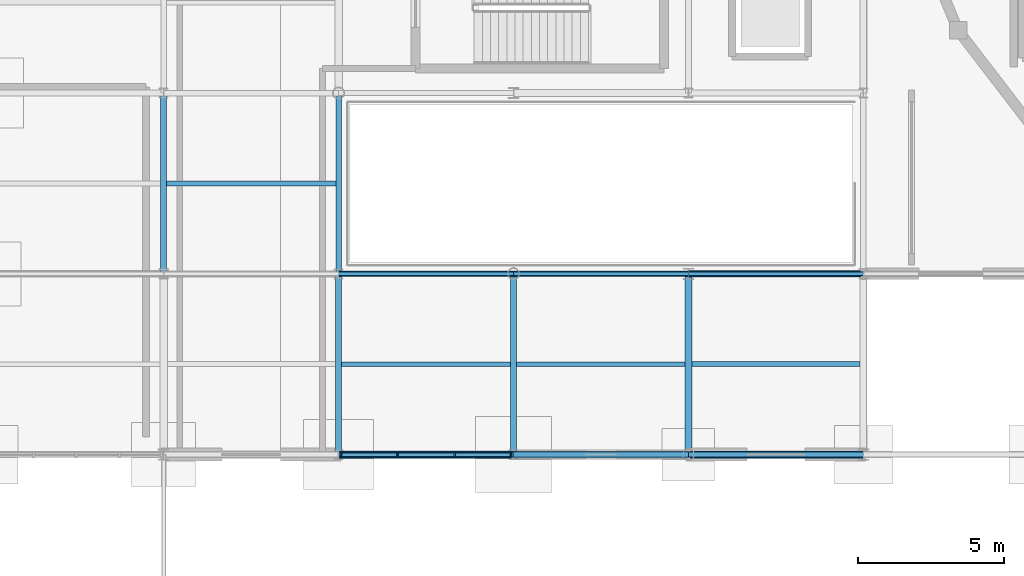
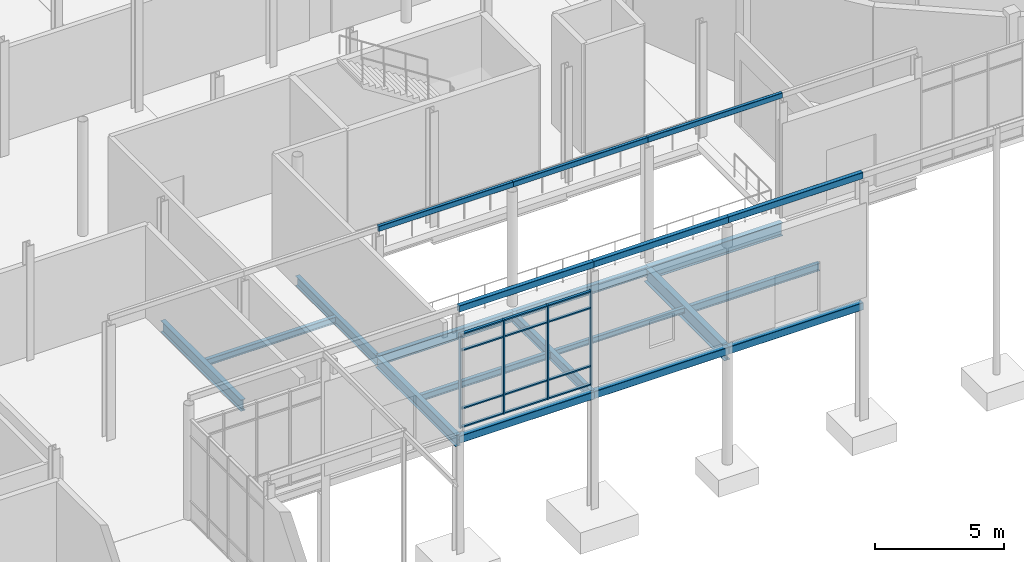
# One storey, part 33 of 98: 21 beams, 16 members, 1 element without a shape of its own.
"""IFC4 building model written with IfcOpenShell, lengths in metres."""

from ifc_helpers import new_model, si_unit, direction, frame, origin, origin_2d, place, context, subcontext, project, spatial, rectangle, hollow_rectangle, i_section, extrude, material, layer, layer_set, material_profile, profile_set, type_object, element, aggregate, save


model = new_model("IFC4")

# Units and contexts
model_context = context("Model", 3, precision=1e-05, world=origin(), true_north=direction((0.0, 1.0)))
body_context = subcontext(model_context, "Body", "Model", "MODEL_VIEW")
ifc_project = project(units=[si_unit("LENGTHUNIT", "METRE"), si_unit("AREAUNIT", "SQUARE_METRE"), si_unit("VOLUMEUNIT", "CUBIC_METRE"), si_unit("PLANEANGLEUNIT", "RADIAN"), si_unit("MASSUNIT", "GRAM", prefix="KILO")], contexts=[model_context])

# Site, building, storey
site_placement = place(None, origin())
site = spatial("IfcSite", under=ifc_project, at=site_placement, CompositionType="ELEMENT")
building_placement = place(site_placement, origin())
building = spatial("IfcBuilding", under=site, at=building_placement, Name="Mirzam Square Science Centre", CompositionType="ELEMENT")
storey_placement = place(building_placement, origin())
storey = spatial("IfcBuildingStorey", under=building, at=storey_placement, Name="L00", CompositionType="ELEMENT", Elevation=0.0)

# Beams
ifc_material_1 = material(Name="Steel S355", Category="steel")
ifc_material_profile_1 = material_profile(ifc_material_1, i_section(OverallWidth=0.1787109375, OverallDepth=0.409423828125, WebThickness=0.0087890625, FlangeThickness=0.014404296875, FilletRadius=0.01025390625, at=origin_2d()), Name="406x178x67UB")
ifc_profile_set_1 = profile_set([ifc_material_profile_1], Name="Steel S355")
beam_type_1 = type_object("IfcBeamType", Name="BM-UB406", PredefinedType="BEAM", material=ifc_profile_set_1)
beam_1_placement = place(storey_placement, frame((48.0, 43.39990234375, -0.504638671875), z_axis=(1.0, 0.0, 0.0), x_axis=(0.0, 1.0, 0.0)))
element("IfcBeam", 1, at=beam_1_placement, inside=storey, type_object=beam_type_1, Name="L00 girder X9-8", PredefinedType="BEAM", context=body_context, shape_type="SweptSolid", body=[
    extrude(i_section(OverallWidth=0.1787109375, OverallDepth=0.409423828125, WebThickness=0.0087890625, FlangeThickness=0.014404296875, FilletRadius=0.01025390625, at=origin_2d()), origin(), (0.0, 0.0, 1.0), 6.0),
])
ifc_material_profile_2 = material_profile(ifc_material_1, i_section(OverallWidth=0.19140625, OverallDepth=0.4599609375, WebThickness=0.010009765625, FlangeThickness=0.01611328125, FilletRadius=0.01025390625, at=origin_2d()), Name="457x191x82UB")
ifc_profile_set_2 = profile_set([ifc_material_profile_2], Name="Steel S355")
beam_type_2 = type_object("IfcBeamType", Name="BM-UB457", PredefinedType="BEAM", material=ifc_profile_set_2)
beam_2_placement = place(storey_placement, frame((42.0, 43.39990234375, -0.530029296875), z_axis=(1.0, 0.0, 0.0), x_axis=(0.0, 1.0, 0.0)))
element("IfcBeam", 2, at=beam_2_placement, inside=storey, type_object=beam_type_2, Name="L00 girder X8-8", PredefinedType="BEAM", context=body_context, shape_type="SweptSolid", body=[
    extrude(i_section(OverallWidth=0.19140625, OverallDepth=0.4599609375, WebThickness=0.010009765625, FlangeThickness=0.01611328125, FilletRadius=0.01025390625, at=origin_2d()), origin(), (0.0, 0.0, 1.0), 6.0),
])
beam_3_placement = place(storey_placement, frame((42.0, 43.39990234375, -0.530029296875), z_axis=(0.0, 1.0, 0.0), x_axis=(-1.0, 0.0, 0.0)))
element("IfcBeam", 3, at=beam_3_placement, inside=storey, type_object=beam_type_2, Name="L00 girder Y8-8", PredefinedType="BEAM", context=body_context, shape_type="SweptSolid", body=[
    extrude(i_section(OverallWidth=0.19140625, OverallDepth=0.4599609375, WebThickness=0.010009765625, FlangeThickness=0.01611328125, FilletRadius=0.01025390625, at=origin_2d()), origin(), (0.0, 0.0, 1.0), 6.2001953125),
])
beam_4_placement = place(storey_placement, frame((48.0, 37.199951171875, -0.530029296875), z_axis=(0.0, 1.0, 0.0), x_axis=(-1.0, 0.0, 0.0)))
element("IfcBeam", 4, at=beam_4_placement, inside=storey, type_object=beam_type_2, Name="L00 girder Y9-7", PredefinedType="BEAM", context=body_context, shape_type="SweptSolid", body=[
    extrude(i_section(OverallWidth=0.19140625, OverallDepth=0.4599609375, WebThickness=0.010009765625, FlangeThickness=0.01611328125, FilletRadius=0.01025390625, at=origin_2d()), origin(), (0.0, 0.0, 1.0), 6.199951171875),
])
ifc_material_profile_3 = material_profile(ifc_material_1, i_section(OverallWidth=0.2099609375, OverallDepth=0.53662109375, WebThickness=0.0107421875, FlangeThickness=0.017333984375, FilletRadius=0.0126953125, at=origin_2d()), Name="533x210x101UB")
ifc_profile_set_3 = profile_set([ifc_material_profile_3], Name="Steel S355")
beam_type_3 = type_object("IfcBeamType", Name="BM-UB533", PredefinedType="BEAM", material=ifc_profile_set_3)
beam_5_placement = place(storey_placement, frame((36.0, 43.39990234375, -0.568359375), z_axis=(0.0, 1.0, 0.0), x_axis=(-1.0, 0.0, 0.0)))
element("IfcBeam", 5, at=beam_5_placement, inside=storey, type_object=beam_type_3, Name="L00 girder Y7-8", PredefinedType="BEAM", context=body_context, shape_type="SweptSolid", body=[
    extrude(i_section(OverallWidth=0.2099609375, OverallDepth=0.53662109375, WebThickness=0.0107421875, FlangeThickness=0.017333984375, FilletRadius=0.0126953125, at=origin_2d()), origin(), (0.0, 0.0, 1.0), 6.2001953125),
])
beam_6_placement = place(storey_placement, frame((42.0, 37.199951171875, -0.568359375), z_axis=(0.0, 1.0, 0.0), x_axis=(-1.0, 0.0, 0.0)))
element("IfcBeam", 6, at=beam_6_placement, inside=storey, type_object=beam_type_3, Name="L00 girder Y8-7", PredefinedType="BEAM", context=body_context, shape_type="SweptSolid", body=[
    extrude(i_section(OverallWidth=0.2099609375, OverallDepth=0.53662109375, WebThickness=0.0107421875, FlangeThickness=0.017333984375, FilletRadius=0.0126953125, at=origin_2d()), origin(), (0.0, 0.0, 1.0), 6.199951171875),
])
ifc_material_profile_4 = material_profile(ifc_material_1, i_section(OverallWidth=0.22900390625, OverallDepth=0.6123046875, WebThickness=0.011962890625, FlangeThickness=0.01953125, FilletRadius=0.0126953125, at=origin_2d()), Name="610x229x125UB")
ifc_profile_set_4 = profile_set([ifc_material_profile_4], Name="Steel S355")
beam_type_4 = type_object("IfcBeamType", Name="BM-UB610", PredefinedType="BEAM", material=ifc_profile_set_4)
beam_7_placement = place(storey_placement, frame((54.0, 43.39990234375, -0.606201171875), z_axis=(1.0, 0.0, 0.0), x_axis=(0.0, 1.0, 0.0)))
element("IfcBeam", 7, at=beam_7_placement, inside=storey, type_object=beam_type_4, Name="L00 girder X10-8", PredefinedType="BEAM", context=body_context, shape_type="SweptSolid", body=[
    extrude(i_section(OverallWidth=0.22900390625, OverallDepth=0.6123046875, WebThickness=0.011962890625, FlangeThickness=0.01953125, FilletRadius=0.0126953125, at=origin_2d()), origin(), (0.0, 0.0, 1.0), 6.0),
])
ifc_material_profile_5 = material_profile(ifc_material_1, i_section(OverallWidth=0.25439453125, OverallDepth=0.6875, WebThickness=0.01318359375, FlangeThickness=0.02099609375, FilletRadius=0.01513671875, at=origin_2d()), Name="686x254x152UB")
ifc_profile_set_5 = profile_set([ifc_material_profile_5], Name="Steel S355")
beam_type_5 = type_object("IfcBeamType", Name="BM-UB686", PredefinedType="BEAM", material=ifc_profile_set_5)
beam_8_placement = place(storey_placement, frame((54.0, 37.199951171875, -0.643798828125), z_axis=(0.0, 1.0, 0.0), x_axis=(-1.0, 0.0, 0.0)))
element("IfcBeam", 8, at=beam_8_placement, inside=storey, type_object=beam_type_5, Name="L00 girder Y10-7", PredefinedType="BEAM", context=body_context, shape_type="SweptSolid", body=[
    extrude(i_section(OverallWidth=0.25439453125, OverallDepth=0.6875, WebThickness=0.01318359375, FlangeThickness=0.02099609375, FilletRadius=0.01513671875, at=origin_2d()), origin(), (0.0, 0.0, 1.0), 6.199951171875),
])

# Curtain wall, members
ifc_material_2 = material(Name="Anodised Aluminium and Low-E Solar Glass", Category="aluminium")
ifc_layer = layer(ifc_material_2, 0.199951171875)
ifc_layer_set = layer_set([ifc_layer], Name="CW-PARK-B")
curtain_wall_type = type_object("IfcCurtainWallType", Name="CW-PARK-B", PredefinedType="USERDEFINED", material=ifc_layer_set)
curtain_wall_placement = place(storey_placement, origin())
curtain_wall = element("IfcCurtainWall", 9, at=curtain_wall_placement, inside=storey, type_object=curtain_wall_type, Name="L00 unitised curtain wall 8", ObjectType="UNITISED CURTAIN WALL", PredefinedType="USERDEFINED")
ifc_material_3 = material(Name="Anodised Architectural Aluminium 6063-T6", Category="aluminium")
ifc_material_profile_6 = material_profile(ifc_material_3, rectangle(XDim=0.06005859375, YDim=0.159912109375, at=origin_2d()), Name="ALU-MULL-160x60x4")
ifc_profile_set_6 = profile_set([ifc_material_profile_6], Name="Anodised Architectural Aluminium 6063-T6")
member_type_1 = type_object("IfcMemberType", Name="CWM-160", PredefinedType="MULLION", material=ifc_profile_set_6)
member_1_placement = place(storey_placement, frame((42.0849609375, 37.199951171875, 0.0), z_axis=(0.0, 0.0, 1.0), x_axis=(1.0, 0.0, 0.0)))
member_1 = element("IfcMember", 10, at=member_1_placement, type_object=member_type_1, Name="CW-02 mullion 1", PredefinedType="MULLION", context=body_context, shape_type="SweptSolid", body=[
    extrude(rectangle(XDim=0.06005859375, YDim=0.159912109375, at=origin_2d()), origin(), (0.0, 0.0, 1.0), 4.43994140625),
])
member_2_placement = place(storey_placement, frame((44.018310546875, 37.199951171875, 0.0), z_axis=(0.0, 0.0, 1.0), x_axis=(1.0, 0.0, 0.0)))
member_2 = element("IfcMember", 11, at=member_2_placement, type_object=member_type_1, Name="CW-02 mullion 2", PredefinedType="MULLION", context=body_context, shape_type="SweptSolid", body=[
    extrude(rectangle(XDim=0.06005859375, YDim=0.159912109375, at=origin_2d()), origin(), (0.0, 0.0, 1.0), 4.43994140625),
])
member_3_placement = place(storey_placement, frame((45.981689453125, 37.199951171875, 0.0), z_axis=(0.0, 0.0, 1.0), x_axis=(1.0, 0.0, 0.0)))
member_3 = element("IfcMember", 12, at=member_3_placement, type_object=member_type_1, Name="CW-02 mullion 3", PredefinedType="MULLION", context=body_context, shape_type="SweptSolid", body=[
    extrude(rectangle(XDim=0.06005859375, YDim=0.159912109375, at=origin_2d()), origin(), (0.0, 0.0, 1.0), 4.43994140625),
])
member_4_placement = place(storey_placement, frame((47.9150390625, 37.199951171875, 0.0), z_axis=(0.0, 0.0, 1.0), x_axis=(1.0, 0.0, 0.0)))
member_4 = element("IfcMember", 13, at=member_4_placement, type_object=member_type_1, Name="CW-02 mullion 4", PredefinedType="MULLION", context=body_context, shape_type="SweptSolid", body=[
    extrude(rectangle(XDim=0.06005859375, YDim=0.159912109375, at=origin_2d()), origin(), (0.0, 0.0, 1.0), 4.43994140625),
])
ifc_material_profile_7 = material_profile(ifc_material_3, rectangle(XDim=0.1201171875, YDim=0.06005859375, at=origin_2d()), Name="ALU-TRAN-120x60x4")
ifc_profile_set_7 = profile_set([ifc_material_profile_7], Name="Anodised Architectural Aluminium 6063-T6")
member_type_2 = type_object("IfcMemberType", Name="CWT-120", PredefinedType="USERDEFINED", material=ifc_profile_set_7)
member_5_placement = place(storey_placement, frame((42.114990234375, 37.199951171875, 0.030029296875), z_axis=(1.0, 0.0, 0.0), x_axis=(0.0, 1.0, 0.0)))
member_5 = element("IfcMember", 14, at=member_5_placement, type_object=member_type_2, Name="CW-02 transom 1.1", ObjectType="TRANSOM", PredefinedType="USERDEFINED", context=body_context, shape_type="SweptSolid", body=[
    extrude(rectangle(XDim=0.1201171875, YDim=0.06005859375, at=origin_2d()), origin(), (0.0, 0.0, 1.0), 1.873291015625),
])
member_6_placement = place(storey_placement, frame((42.114990234375, 37.199951171875, 0.89990234375), z_axis=(1.0, 0.0, 0.0), x_axis=(0.0, 1.0, 0.0)))
member_6 = element("IfcMember", 15, at=member_6_placement, type_object=member_type_2, Name="CW-02 transom 1.2", ObjectType="TRANSOM", PredefinedType="USERDEFINED", context=body_context, shape_type="SweptSolid", body=[
    extrude(rectangle(XDim=0.1201171875, YDim=0.06005859375, at=origin_2d()), origin(), (0.0, 0.0, 1.0), 1.873291015625),
])
member_7_placement = place(storey_placement, frame((42.114990234375, 37.199951171875, 3.639892578125), z_axis=(1.0, 0.0, 0.0), x_axis=(0.0, 1.0, 0.0)))
member_7 = element("IfcMember", 16, at=member_7_placement, type_object=member_type_2, Name="CW-02 transom 1.3", ObjectType="TRANSOM", PredefinedType="USERDEFINED", context=body_context, shape_type="SweptSolid", body=[
    extrude(rectangle(XDim=0.1201171875, YDim=0.06005859375, at=origin_2d()), origin(), (0.0, 0.0, 1.0), 1.873291015625),
])
member_8_placement = place(storey_placement, frame((42.114990234375, 37.199951171875, 4.409912109375), z_axis=(1.0, 0.0, 0.0), x_axis=(0.0, 1.0, 0.0)))
member_8 = element("IfcMember", 17, at=member_8_placement, type_object=member_type_2, Name="CW-02 transom 1.4", ObjectType="TRANSOM", PredefinedType="USERDEFINED", context=body_context, shape_type="SweptSolid", body=[
    extrude(rectangle(XDim=0.1201171875, YDim=0.06005859375, at=origin_2d()), origin(), (0.0, 0.0, 1.0), 1.873291015625),
])
member_9_placement = place(storey_placement, frame((44.04833984375, 37.199951171875, 0.030029296875), z_axis=(1.0, 0.0, 0.0), x_axis=(0.0, 1.0, 0.0)))
member_9 = element("IfcMember", 18, at=member_9_placement, type_object=member_type_2, Name="CW-02 transom 2.1", ObjectType="TRANSOM", PredefinedType="USERDEFINED", context=body_context, shape_type="SweptSolid", body=[
    extrude(rectangle(XDim=0.1201171875, YDim=0.06005859375, at=origin_2d()), origin(), (0.0, 0.0, 1.0), 1.9033203125),
])
member_10_placement = place(storey_placement, frame((44.04833984375, 37.199951171875, 0.89990234375), z_axis=(1.0, 0.0, 0.0), x_axis=(0.0, 1.0, 0.0)))
member_10 = element("IfcMember", 19, at=member_10_placement, type_object=member_type_2, Name="CW-02 transom 2.2", ObjectType="TRANSOM", PredefinedType="USERDEFINED", context=body_context, shape_type="SweptSolid", body=[
    extrude(rectangle(XDim=0.1201171875, YDim=0.06005859375, at=origin_2d()), origin(), (0.0, 0.0, 1.0), 1.9033203125),
])
member_11_placement = place(storey_placement, frame((44.04833984375, 37.199951171875, 3.639892578125), z_axis=(1.0, 0.0, 0.0), x_axis=(0.0, 1.0, 0.0)))
member_11 = element("IfcMember", 20, at=member_11_placement, type_object=member_type_2, Name="CW-02 transom 2.3", ObjectType="TRANSOM", PredefinedType="USERDEFINED", context=body_context, shape_type="SweptSolid", body=[
    extrude(rectangle(XDim=0.1201171875, YDim=0.06005859375, at=origin_2d()), origin(), (0.0, 0.0, 1.0), 1.9033203125),
])
member_12_placement = place(storey_placement, frame((44.04833984375, 37.199951171875, 4.409912109375), z_axis=(1.0, 0.0, 0.0), x_axis=(0.0, 1.0, 0.0)))
member_12 = element("IfcMember", 21, at=member_12_placement, type_object=member_type_2, Name="CW-02 transom 2.4", ObjectType="TRANSOM", PredefinedType="USERDEFINED", context=body_context, shape_type="SweptSolid", body=[
    extrude(rectangle(XDim=0.1201171875, YDim=0.06005859375, at=origin_2d()), origin(), (0.0, 0.0, 1.0), 1.9033203125),
])
member_13_placement = place(storey_placement, frame((46.01171875, 37.199951171875, 0.030029296875), z_axis=(1.0, 0.0, 0.0), x_axis=(0.0, 1.0, 0.0)))
member_13 = element("IfcMember", 22, at=member_13_placement, type_object=member_type_2, Name="CW-02 transom 3.1", ObjectType="TRANSOM", PredefinedType="USERDEFINED", context=body_context, shape_type="SweptSolid", body=[
    extrude(rectangle(XDim=0.1201171875, YDim=0.06005859375, at=origin_2d()), origin(), (0.0, 0.0, 1.0), 1.873291015625),
])
member_14_placement = place(storey_placement, frame((46.01171875, 37.199951171875, 0.89990234375), z_axis=(1.0, 0.0, 0.0), x_axis=(0.0, 1.0, 0.0)))
member_14 = element("IfcMember", 23, at=member_14_placement, type_object=member_type_2, Name="CW-02 transom 3.2", ObjectType="TRANSOM", PredefinedType="USERDEFINED", context=body_context, shape_type="SweptSolid", body=[
    extrude(rectangle(XDim=0.1201171875, YDim=0.06005859375, at=origin_2d()), origin(), (0.0, 0.0, 1.0), 1.873291015625),
])
member_15_placement = place(storey_placement, frame((46.01171875, 37.199951171875, 3.639892578125), z_axis=(1.0, 0.0, 0.0), x_axis=(0.0, 1.0, 0.0)))
member_15 = element("IfcMember", 24, at=member_15_placement, type_object=member_type_2, Name="CW-02 transom 3.3", ObjectType="TRANSOM", PredefinedType="USERDEFINED", context=body_context, shape_type="SweptSolid", body=[
    extrude(rectangle(XDim=0.1201171875, YDim=0.06005859375, at=origin_2d()), origin(), (0.0, 0.0, 1.0), 1.873291015625),
])
member_16_placement = place(storey_placement, frame((46.01171875, 37.199951171875, 4.409912109375), z_axis=(1.0, 0.0, 0.0), x_axis=(0.0, 1.0, 0.0)))
member_16 = element("IfcMember", 25, at=member_16_placement, type_object=member_type_2, Name="CW-02 transom 3.4", ObjectType="TRANSOM", PredefinedType="USERDEFINED", context=body_context, shape_type="SweptSolid", body=[
    extrude(rectangle(XDim=0.1201171875, YDim=0.06005859375, at=origin_2d()), origin(), (0.0, 0.0, 1.0), 1.873291015625),
])
aggregate(curtain_wall, [member_1, member_2, member_3, member_4, member_5, member_6, member_7, member_8, member_9, member_10, member_11, member_12, member_13, member_14, member_15, member_16])

# Beams
ifc_material_profile_8 = material_profile(ifc_material_1, i_section(OverallWidth=0.146484375, OverallDepth=0.256103515625, WebThickness=0.00634765625, FlangeThickness=0.010986328125, FilletRadius=0.007568359375, at=origin_2d()), Name="254x146x37UB")
ifc_profile_set_8 = profile_set([ifc_material_profile_8], Name="Steel S355")
beam_type_6 = type_object("IfcBeamType", Name="JS-UB254", PredefinedType="JOIST", material=ifc_profile_set_8)
beam_9_placement = place(storey_placement, frame((48.095703125, 40.300048828125, -0.427978515625), z_axis=(1.0, 0.0, 0.0), x_axis=(0.0, 1.0, 0.0)))
element("IfcBeam", 26, at=beam_9_placement, inside=storey, type_object=beam_type_6, Name="L00 composite joist 9-7", PredefinedType="JOIST", context=body_context, shape_type="SweptSolid", body=[
    extrude(i_section(OverallWidth=0.146484375, OverallDepth=0.256103515625, WebThickness=0.00634765625, FlangeThickness=0.010986328125, FilletRadius=0.007568359375, at=origin_2d()), origin(), (0.0, 0.0, 1.0), 5.777099609375),
])
ifc_material_profile_9 = material_profile(ifc_material_1, i_section(OverallWidth=0.165771484375, OverallDepth=0.306640625, WebThickness=0.006591796875, FlangeThickness=0.01171875, FilletRadius=0.0087890625, at=origin_2d()), Name="305x165x46UB")
ifc_profile_set_9 = profile_set([ifc_material_profile_9], Name="Steel S355")
beam_type_7 = type_object("IfcBeamType", Name="JS-UB305", PredefinedType="JOIST", material=ifc_profile_set_9)
for number, where, z_axis, x_axis, name in (
    (27, (36.10498046875, 46.5, -0.453369140625), (1.0, 0.0, 0.0), (0.0, 1.0, 0.0), "L00 composite joist 7-8"),
    (28, (42.10498046875, 40.300048828125, -0.453369140625), (1.0, 0.0, 0.0), (0.0, 1.0, 0.0), "L00 composite joist 8-7"),
):
    element("IfcBeam", number, at=place(storey_placement, frame(where, z_axis=z_axis, x_axis=x_axis)), inside=storey, type_object=beam_type_7, Name=name, PredefinedType="JOIST", context=body_context, shape_type="SweptSolid", body=[
        extrude(i_section(OverallWidth=0.165771484375, OverallDepth=0.306640625, WebThickness=0.006591796875, FlangeThickness=0.01171875, FilletRadius=0.0087890625, at=origin_2d()), origin(), (0.0, 0.0, 1.0), 5.79931640625),
    ])
ifc_material_profile_10 = material_profile(ifc_material_1, i_section(OverallWidth=0.172119140625, OverallDepth=0.35791015625, WebThickness=0.008056640625, FlangeThickness=0.012939453125, FilletRadius=0.01025390625, at=origin_2d()), Name="356x171x57UB")
ifc_profile_set_10 = profile_set([ifc_material_profile_10], Name="Steel S355")
beam_type_8 = type_object("IfcBeamType", Name="JS-UB356", PredefinedType="JOIST", material=ifc_profile_set_10)
beam_10_placement = place(storey_placement, frame((54.127197265625, 40.300048828125, -0.47900390625), z_axis=(1.0, 0.0, 0.0), x_axis=(0.0, 1.0, 0.0)))
element("IfcBeam", 29, at=beam_10_placement, inside=storey, type_object=beam_type_8, Name="L00 composite joist 10-7", PredefinedType="JOIST", context=body_context, shape_type="SweptSolid", body=[
    extrude(i_section(OverallWidth=0.172119140625, OverallDepth=0.35791015625, WebThickness=0.008056640625, FlangeThickness=0.012939453125, FilletRadius=0.01025390625, at=origin_2d()), origin(), (0.0, 0.0, 1.0), 5.747802734375),
])
ifc_material_profile_11 = material_profile(ifc_material_1, hollow_rectangle(XDim=0.14990234375, YDim=0.25, WallThickness=0.010009765625, InnerFilletRadius=0.010009765625, OuterFilletRadius=0.02001953125, at=origin_2d()), Name="250x150x10.0RHS")
ifc_profile_set_11 = profile_set([ifc_material_profile_11], Name="Steel S355")
beam_type_9 = type_object("IfcBeamType", Name="SP-RHS250", PredefinedType="SPANDREL", material=ifc_profile_set_11)
for number, where, z_axis, x_axis, name in (
    (30, (42.0, 43.39990234375, 5.669921875), (1.0, 0.0, 0.0), (0.0, 1.0, 0.0), "Square colonnade outer beam 8"),
    (31, (48.0, 43.39990234375, 5.669921875), (1.0, 0.0, 0.0), (0.0, 1.0, 0.0), "Square colonnade outer beam 9"),
    (32, (54.0, 43.39990234375, 5.669921875), (1.0, 0.0, 0.0), (0.0, 1.0, 0.0), "Square colonnade outer beam 10"),
):
    element("IfcBeam", number, at=place(storey_placement, frame(where, z_axis=z_axis, x_axis=x_axis)), inside=storey, type_object=beam_type_9, Name=name, PredefinedType="SPANDREL", context=body_context, shape_type="SweptSolid", body=[
        extrude(hollow_rectangle(XDim=0.14990234375, YDim=0.25, WallThickness=0.010009765625, InnerFilletRadius=0.010009765625, OuterFilletRadius=0.02001953125, at=origin_2d()), origin(), (0.0, 0.0, 1.0), 6.0),
    ])
ifc_material_profile_12 = material_profile(ifc_material_1, hollow_rectangle(XDim=0.199951171875, YDim=0.300048828125, WallThickness=0.010009765625, InnerFilletRadius=0.010009765625, OuterFilletRadius=0.02001953125, at=origin_2d()), Name="300x200x10.0RHS")
ifc_profile_set_12 = profile_set([ifc_material_profile_12], Name="Steel S355")
beam_type_10 = type_object("IfcBeamType", Name="SP-RHS300", PredefinedType="SPANDREL", material=ifc_profile_set_12)
for number, where, z_axis, x_axis, name in (
    (33, (42.0, 37.199951171875, 5.669921875), (1.0, 0.0, 0.0), (0.0, 1.0, 0.0), "Square colonnade beam 8"),
    (34, (48.0, 37.199951171875, 5.669921875), (1.0, 0.0, 0.0), (0.0, 1.0, 0.0), "Square colonnade beam 9"),
    (35, (54.0, 37.199951171875, 5.669921875), (1.0, 0.0, 0.0), (0.0, 1.0, 0.0), "Square colonnade beam 10"),
):
    element("IfcBeam", number, at=place(storey_placement, frame(where, z_axis=z_axis, x_axis=x_axis)), inside=storey, type_object=beam_type_10, Name=name, PredefinedType="SPANDREL", context=body_context, shape_type="SweptSolid", body=[
        extrude(hollow_rectangle(XDim=0.199951171875, YDim=0.300048828125, WallThickness=0.010009765625, InnerFilletRadius=0.010009765625, OuterFilletRadius=0.02001953125, at=origin_2d()), origin(), (0.0, 0.0, 1.0), 6.0),
    ])
ifc_material_profile_13 = material_profile(ifc_material_1, hollow_rectangle(XDim=0.25, YDim=0.35009765625, WallThickness=0.012451171875, InnerFilletRadius=0.012451171875, OuterFilletRadius=0.02490234375, at=origin_2d()), Name="350x250x12.5RHS")
ifc_profile_set_13 = profile_set([ifc_material_profile_13], Name="Steel S355")
beam_type_11 = type_object("IfcBeamType", Name="SP-RHS350", PredefinedType="SPANDREL", material=ifc_profile_set_13)
for number, where, z_axis, x_axis, name in (
    (36, (42.0, 37.199951171875, -0.47509765625), (1.0, 0.0, 0.0), (0.0, 1.0, 0.0), "L00 girder X8-7"),
    (37, (48.0, 37.199951171875, -0.47509765625), (1.0, 0.0, 0.0), (0.0, 1.0, 0.0), "L00 girder X9-7"),
    (38, (54.0, 37.199951171875, -0.47509765625), (1.0, 0.0, 0.0), (0.0, 1.0, 0.0), "L00 girder X10-7"),
):
    element("IfcBeam", number, at=place(storey_placement, frame(where, z_axis=z_axis, x_axis=x_axis)), inside=storey, type_object=beam_type_11, Name=name, PredefinedType="SPANDREL", context=body_context, shape_type="SweptSolid", body=[
        extrude(hollow_rectangle(XDim=0.25, YDim=0.35009765625, WallThickness=0.012451171875, InnerFilletRadius=0.012451171875, OuterFilletRadius=0.02490234375, at=origin_2d()), origin(), (0.0, 0.0, 1.0), 6.0),
    ])

save(model, "model.ifc")
